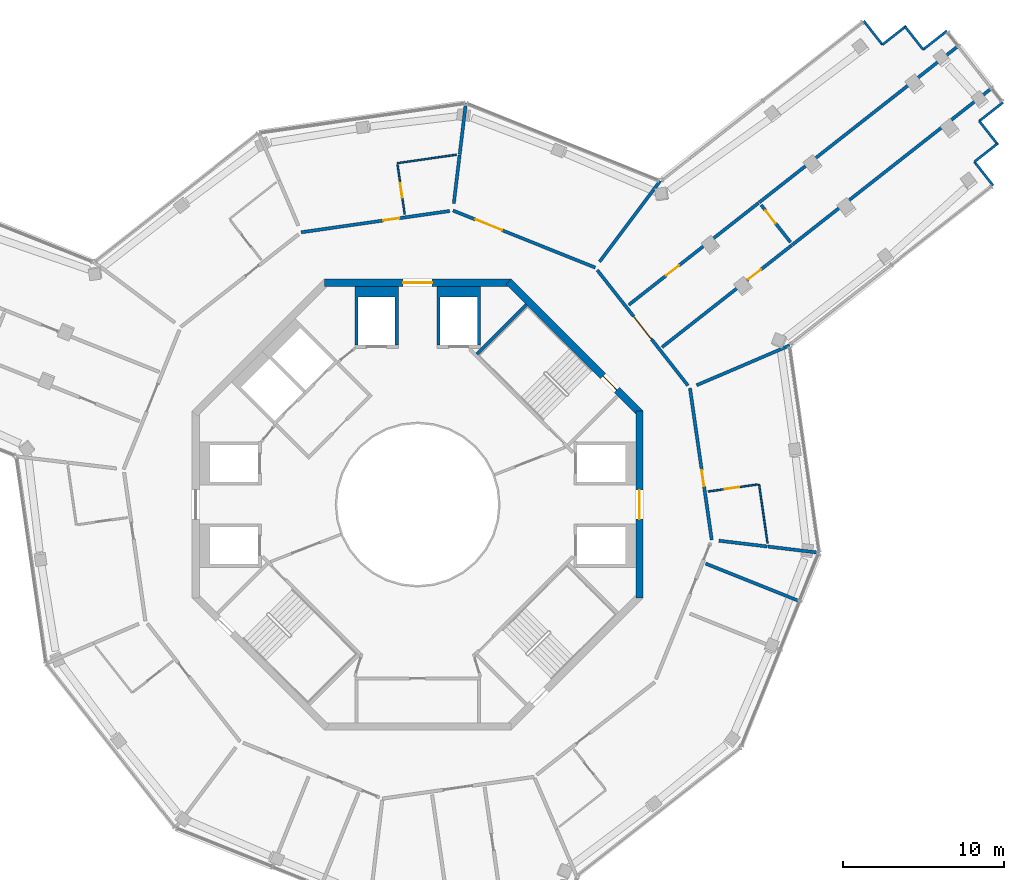
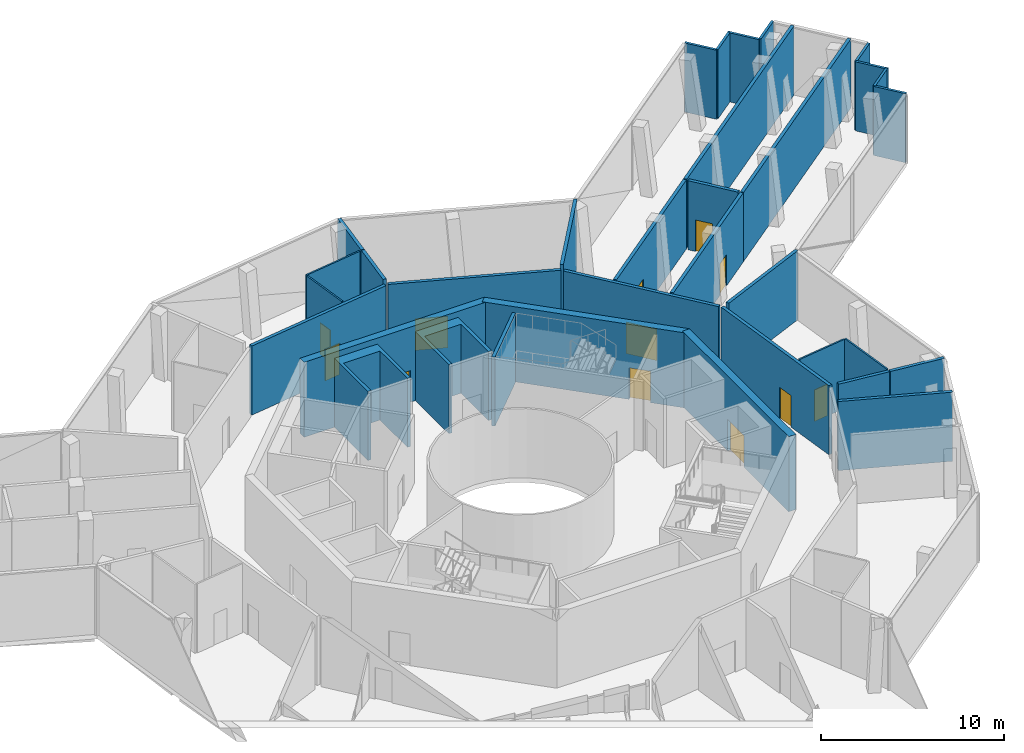
# One storey, part 13 of 19: 34 walls, 12 doors, 12 openings.
"""IFC4 building model written with IfcOpenShell, lengths in metres."""

from ifc_helpers import new_model, si_unit, direction, frame, frame_2d, origin, place, context, subcontext, project, spatial, polyline, rectangle, outline, extrude, material, layer, layer_set, type_object, element, fill, save


model = new_model("IFC4")

# Units and contexts
model_context = context("Model", 3, precision=1e-05, world=origin(), true_north=direction((0.0, 1.0)))
body_context = subcontext(model_context, "Body", "Model", "MODEL_VIEW")
ifc_project = project(units=[si_unit("LENGTHUNIT", "METRE"), si_unit("AREAUNIT", "SQUARE_METRE"), si_unit("VOLUMEUNIT", "CUBIC_METRE"), si_unit("PLANEANGLEUNIT", "RADIAN"), si_unit("MASSUNIT", "GRAM", prefix="KILO")], contexts=[model_context])

# Site, building, storey
site_placement = place(None, origin())
site = spatial("IfcSite", under=ifc_project, at=site_placement, CompositionType="ELEMENT")
building_placement = place(site_placement, origin())
building = spatial("IfcBuilding", under=site, at=building_placement, Name="Verdalira Terraces Hotel", CompositionType="ELEMENT")
storey_placement = place(building_placement, frame((0.0, 0.0, 310.0)))
storey = spatial("IfcBuildingStorey", under=building, at=storey_placement, Name="L77", CompositionType="ELEMENT", Elevation=310.0)

# Wall, opening, door
ifc_material_1 = material(Name="Moisture-resistant gypsum board partition")
ifc_layer_1 = layer(ifc_material_1, 0.10009765625)
ifc_layer_set_1 = layer_set([ifc_layer_1], Name="Bathroom partition 100 mm")
wall_type_1 = type_object("IfcWallType", Name="Bathroom partition 100 mm", PredefinedType="PARTITIONING", material=ifc_layer_set_1)
wall_1_placement = place(storey_placement, frame((-1.248291, 21.094727, 0.0), z_axis=(0.0, 0.0, 1.0), x_axis=(0.141917498, -0.989878489, 0.0)))
wall_1 = element("IfcWall", 1, at=wall_1_placement, inside=storey, type_object=wall_type_1, Name="Bathroom partition", PredefinedType="PARTITIONING", context=body_context, shape_type="SweptSolid", body=[
    extrude(rectangle(XDim=3.100098, YDim=0.100098, at=frame_2d((1.550049, 0.0))), origin(), (0.0, 0.0, 1.0), 4.600098),
])
opening_1_placement = place(wall_1_placement, frame((1.149902, 0.0, 0.0)))
opening_1 = element("IfcOpeningElement", 2, at=opening_1_placement, cuts=wall_1, Name="Opening L77-124", PredefinedType="OPENING", context=body_context, shape_type="SweptSolid", body=[
    extrude(rectangle(XDim=0.899902, YDim=2.100098, at=frame_2d((0.449951, 1.050049))), frame((0.0, 0.060059, 0.0), z_axis=(0.0, -1.0, 0.0), x_axis=(1.0, 0.0, 0.0)), (0.0, 0.0, 1.0), 0.120117),
])
ifc_material_2 = material(Name="Timber door", Category="wood")
door_type_1 = type_object("IfcDoorType", Name="Bathroom door 900 x 2100", OperationType="NOTDEFINED", PredefinedType="DOOR", material=ifc_material_2)
door_1_placement = place(opening_1_placement, origin())
door_1 = element("IfcDoor", 3, at=door_1_placement, inside=storey, type_object=door_type_1, Name="Bathroom door 7710", OperationType="SINGLE_SWING_LEFT", OverallHeight=2.10009765625, OverallWidth=0.89990234375, PredefinedType="DOOR", context=body_context, shape_type="SweptSolid", body=[
    extrude(rectangle(XDim=0.899902, YDim=2.100098, at=frame_2d((0.449951, 1.050049))), frame((0.0, 0.024902, 0.0), z_axis=(0.0, -1.0, 0.0), x_axis=(1.0, 0.0, 0.0)), (0.0, 0.0, 1.0), 0.050049),
])
fill(opening_1, door_1)

# Wall
wall_2_placement = place(storey_placement, frame((-1.262695, 21.193604, 0.0), z_axis=(0.0, 0.0, 1.0), x_axis=(0.989870244, 0.141974997, 0.0)))
element("IfcWall", 4, at=wall_2_placement, inside=storey, type_object=wall_type_1, Name="Bathroom partition", PredefinedType="PARTITIONING", context=body_context, shape_type="SweptSolid", body=[
    extrude(rectangle(XDim=3.704102, YDim=0.100098, at=frame_2d((1.852051, 0.0))), origin(), (0.0, 0.0, 1.0), 4.600098),
])

# Wall, opening, door
wall_3_placement = place(storey_placement, frame((21.094727, 1.248291, 0.0), z_axis=(0.0, 0.0, 1.0), x_axis=(-0.989878489, -0.141917498, 0.0)))
wall_3 = element("IfcWall", 5, at=wall_3_placement, inside=storey, type_object=wall_type_1, Name="Bathroom partition", PredefinedType="PARTITIONING", context=body_context, shape_type="SweptSolid", body=[
    extrude(rectangle(XDim=3.100098, YDim=0.100098, at=frame_2d((1.550049, 0.0))), origin(), (0.0, 0.0, 1.0), 4.600098),
])
opening_2_placement = place(wall_3_placement, frame((1.149902, 0.0, 0.0)))
opening_2 = element("IfcOpeningElement", 6, at=opening_2_placement, cuts=wall_3, Name="Opening L77-117", PredefinedType="OPENING", context=body_context, shape_type="SweptSolid", body=[
    extrude(rectangle(XDim=0.899902, YDim=2.100098, at=frame_2d((0.449951, 1.050049))), frame((0.0, 0.060059, 0.0), z_axis=(0.0, -1.0, 0.0), x_axis=(1.0, 0.0, 0.0)), (0.0, 0.0, 1.0), 0.120117),
])
door_2_placement = place(opening_2_placement, origin())
door_2 = element("IfcDoor", 7, at=door_2_placement, inside=storey, type_object=door_type_1, Name="Bathroom door 7707", OperationType="SINGLE_SWING_LEFT", OverallHeight=2.10009765625, OverallWidth=0.89990234375, PredefinedType="DOOR", context=body_context, shape_type="SweptSolid", body=[
    extrude(rectangle(XDim=0.899902, YDim=2.100098, at=frame_2d((0.449951, 1.050049))), frame((0.0, 0.024902, 0.0), z_axis=(0.0, -1.0, 0.0), x_axis=(1.0, 0.0, 0.0)), (0.0, 0.0, 1.0), 0.050049),
])
fill(opening_2, door_2)

# Walls
wall_4_placement = place(storey_placement, frame((21.193604, 1.262695, 0.0), z_axis=(0.0, 0.0, 1.0), x_axis=(0.141974997, -0.989870244, 0.0)))
element("IfcWall", 8, at=wall_4_placement, inside=storey, type_object=wall_type_1, Name="Bathroom partition", PredefinedType="PARTITIONING", context=body_context, shape_type="SweptSolid", body=[
    extrude(rectangle(XDim=3.704102, YDim=0.100098, at=frame_2d((1.852051, 0.0))), origin(), (0.0, 0.0, 1.0), 4.600098),
])
ifc_material_3 = material(Name="Concrete C50", Category="concrete")
ifc_layer_2 = layer(ifc_material_3, 0.199951171875)
ifc_layer_set_2 = layer_set([ifc_layer_2], Name="Core RC wall 200 C50")
wall_type_2 = type_object("IfcWallType", Name="Core RC wall 200 C50", PredefinedType="SOLIDWALL", material=ifc_layer_set_2)
wall_5_placement = place(storey_placement, origin())
element("IfcWall", 9, at=wall_5_placement, inside=storey, type_object=wall_type_2, Name="L77 shaft wall N1", PredefinedType="SOLIDWALL", context=body_context, shape_type="SweptSolid", body=[
    extrude(outline(polyline([(3.899902, 9.899902), (3.699951, 9.899902), (3.699951, 12.899902), (1.399902, 12.899902), (1.399902, 9.899902), (1.199951, 9.899902), (1.199951, 13.550049), (3.899902, 13.550049), (3.899902, 9.899902)])), origin(), (0.0, 0.0, 1.0), 4.600098),
])
wall_6_placement = place(storey_placement, origin())
element("IfcWall", 10, at=wall_6_placement, inside=storey, type_object=wall_type_2, Name="L77 shaft wall N2", PredefinedType="SOLIDWALL", context=body_context, shape_type="SweptSolid", body=[
    extrude(outline(polyline([(-3.899902, 13.550049), (-1.199951, 13.550049), (-1.199951, 9.899902), (-1.399902, 9.899902), (-1.399902, 12.899902), (-3.699951, 12.899902), (-3.699951, 9.899902), (-3.899902, 9.899902), (-3.899902, 13.550049)])), origin(), (0.0, 0.0, 1.0), 4.600098),
])
wall_7_placement = place(storey_placement, frame((3.677002, 9.33374, 0.0), z_axis=(0.0, 0.0, 1.0), x_axis=(0.707106781, 0.707106781, 0.0)))
element("IfcWall", 11, at=wall_7_placement, inside=storey, type_object=wall_type_2, Name="L77 stair ST1 end wall 2", PredefinedType="SOLIDWALL", context=body_context, shape_type="SweptSolid", body=[
    extrude(rectangle(XDim=4.350098, YDim=0.199951, at=frame_2d((2.175049, 0.0))), origin(), (0.0, 0.0, 1.0), 4.600098),
])

# Wall, opening, door
ifc_material_4 = material(Name="Concrete C50", Category="concrete")
ifc_layer_3 = layer(ifc_material_4, 0.449951171875)
ifc_layer_set_3 = layer_set([ifc_layer_3], Name="Core wall 450 C50")
wall_type_3 = type_object("IfcWallType", Name="Core wall 450 C50", PredefinedType="SHEAR", material=ifc_layer_set_3)
wall_8_placement = place(storey_placement, frame((13.774902, -5.799072, 0.0), z_axis=(0.0, 0.0, 1.0), x_axis=(0.0, 1.0, 0.0)))
wall_8 = element("IfcWall", 12, at=wall_8_placement, inside=storey, type_object=wall_type_3, Name="Core wall CW-L77-1", PredefinedType="SHEAR", context=body_context, shape_type="SweptSolid", body=[
    extrude(rectangle(XDim=11.598145, YDim=0.449951, at=frame_2d((5.799072, 0.0))), origin(), (0.0, 0.0, 1.0), 5.0),
])
opening_3_placement = place(wall_8_placement, frame((4.898926, 0.0, 0.0)))
opening_3 = element("IfcOpeningElement", 13, at=opening_3_placement, cuts=wall_8, Name="Opening L77-813", PredefinedType="OPENING", context=body_context, shape_type="SweptSolid", body=[
    extrude(rectangle(XDim=1.800049, YDim=2.100098, at=frame_2d((0.899902, 1.050049))), frame((0.0, 0.234863, 0.0), z_axis=(0.0, -1.0, 0.0), x_axis=(1.0, 0.0, 0.0)), (0.0, 0.0, 1.0), 0.469971),
])
ifc_material_5 = material(Name="Steel fire door", Category="steel")
door_type_2 = type_object("IfcDoorType", Name="Core entry door pair 1800 x 2100", OperationType="NOTDEFINED", PredefinedType="DOOR", material=ifc_material_5)
door_3_placement = place(opening_3_placement, origin())
door_3 = element("IfcDoor", 14, at=door_3_placement, inside=storey, type_object=door_type_2, Name="Core entry door L77 0", OperationType="DOUBLE_DOOR_SINGLE_SWING", OverallHeight=2.10009765625, OverallWidth=1.800048828125, PredefinedType="DOOR", context=body_context, shape_type="SweptSolid", body=[
    extrude(rectangle(XDim=1.800049, YDim=2.100098, at=frame_2d((0.899902, 1.050049))), frame((0.0, 0.024902, 0.0), z_axis=(0.0, -1.0, 0.0), x_axis=(1.0, 0.0, 0.0)), (0.0, 0.0, 1.0), 0.050049),
])
fill(opening_3, door_3)

wall_9_placement = place(storey_placement, frame((13.84082, 5.639893, 0.0), z_axis=(0.0, 0.0, 1.0), x_axis=(-0.707106781, 0.707106781, 0.0)))
wall_9 = element("IfcWall", 15, at=wall_9_placement, inside=storey, type_object=wall_type_3, Name="Core wall CW-L77-2", PredefinedType="SHEAR", context=body_context, shape_type="SweptSolid", body=[
    extrude(rectangle(XDim=11.5979, YDim=0.449951, at=frame_2d((5.798828, 0.0))), origin(), (0.0, 0.0, 1.0), 5.0),
])
opening_4_placement = place(wall_9_placement, frame((2.099121, 0.0, 0.0)))
opening_4 = element("IfcOpeningElement", 16, at=opening_4_placement, cuts=wall_9, Name="Opening L77-816", PredefinedType="OPENING", context=body_context, shape_type="SweptSolid", body=[
    extrude(rectangle(XDim=1.199951, YDim=2.100098, at=frame_2d((0.600098, 1.050049))), frame((0.0, 0.234863, 0.0), z_axis=(0.0, -1.0, 0.0), x_axis=(1.0, 0.0, 0.0)), (0.0, 0.0, 1.0), 0.469971),
])
ifc_material_6 = material(Name="Steel fire door", Category="steel")
door_type_3 = type_object("IfcDoorType", Name="Stair door 1200 x 2100", OperationType="NOTDEFINED", PredefinedType="DOOR", material=ifc_material_6)
door_4_placement = place(opening_4_placement, origin())
door_4 = element("IfcDoor", 17, at=door_4_placement, inside=storey, type_object=door_type_3, Name="Stair exit door ST1 L77", OperationType="SINGLE_SWING_LEFT", OverallHeight=2.10009765625, OverallWidth=1.199951171875, PredefinedType="DOOR", context=body_context, shape_type="SweptSolid", body=[
    extrude(rectangle(XDim=1.199951, YDim=2.100098, at=frame_2d((0.600098, 1.050049))), frame((0.0, 0.024902, 0.0), z_axis=(0.0, -1.0, 0.0), x_axis=(1.0, 0.0, 0.0)), (0.0, 0.0, 1.0), 0.050049),
])
fill(opening_4, door_4)

wall_10_placement = place(storey_placement, frame((5.799072, 13.774902, 0.0), z_axis=(0.0, 0.0, 1.0), x_axis=(-1.0, 0.0, 0.0)))
wall_10 = element("IfcWall", 18, at=wall_10_placement, inside=storey, type_object=wall_type_3, Name="Core wall CW-L77-3", PredefinedType="SHEAR", context=body_context, shape_type="SweptSolid", body=[
    extrude(rectangle(XDim=11.598145, YDim=0.449951, at=frame_2d((5.799072, 0.0))), origin(), (0.0, 0.0, 1.0), 5.0),
])
opening_5_placement = place(wall_10_placement, frame((4.898926, 0.0, 0.0)))
opening_5 = element("IfcOpeningElement", 19, at=opening_5_placement, cuts=wall_10, Name="Opening L77-814", PredefinedType="OPENING", context=body_context, shape_type="SweptSolid", body=[
    extrude(rectangle(XDim=1.800049, YDim=2.100098, at=frame_2d((0.899902, 1.050049))), frame((0.0, 0.234863, 0.0), z_axis=(0.0, -1.0, 0.0), x_axis=(1.0, 0.0, 0.0)), (0.0, 0.0, 1.0), 0.469971),
])
door_5_placement = place(opening_5_placement, origin())
door_5 = element("IfcDoor", 20, at=door_5_placement, inside=storey, type_object=door_type_2, Name="Core entry door L77 2", OperationType="DOUBLE_DOOR_SINGLE_SWING", OverallHeight=2.10009765625, OverallWidth=1.800048828125, PredefinedType="DOOR", context=body_context, shape_type="SweptSolid", body=[
    extrude(rectangle(XDim=1.800049, YDim=2.100098, at=frame_2d((0.899902, 1.050049))), frame((0.0, 0.024902, 0.0), z_axis=(0.0, -1.0, 0.0), x_axis=(1.0, 0.0, 0.0)), (0.0, 0.0, 1.0), 0.050049),
])
fill(opening_5, door_5)

# Walls
ifc_material_7 = material(Name="Fire-rated gypsum board wall")
ifc_layer_4 = layer(ifc_material_7, 0.199951171875)
ifc_layer_set_4 = layer_set([ifc_layer_4], Name="Demising wall 200 mm")
wall_type_4 = type_object("IfcWallType", Name="Demising wall 200 mm", PredefinedType="SOLIDWALL", material=ifc_layer_set_4)
wall_11_placement = place(storey_placement, frame((2.24292, 18.697998, 0.0), z_axis=(0.0, 0.0, 1.0), x_axis=(0.119056102, 0.992887529, 0.0)))
element("IfcWall", 21, at=wall_11_placement, inside=storey, type_object=wall_type_4, Name="Demising wall", PredefinedType="SOLIDWALL", context=body_context, shape_type="SweptSolid", body=[
    extrude(rectangle(XDim=3.024658, YDim=0.199951, at=frame_2d((1.512207, 0.0))), origin(), (0.0, 0.0, 1.0), 4.600098),
])
wall_12_placement = place(storey_placement, frame((2.608398, 21.746826, 0.0), z_axis=(0.0, 0.0, 1.0), x_axis=(0.119130232, 0.992878637, 0.0)))
element("IfcWall", 22, at=wall_12_placement, inside=storey, type_object=wall_type_4, Name="Demising wall", PredefinedType="SOLIDWALL", context=body_context, shape_type="SweptSolid", body=[
    extrude(rectangle(XDim=3.211426, YDim=0.199951, at=frame_2d((1.605713, 0.0))), origin(), (0.0, 0.0, 1.0), 4.600098),
])
wall_13_placement = place(storey_placement, frame((11.29126, 15.071533, 0.0), z_axis=(0.0, 0.0, 1.0), x_axis=(0.599608195, 0.800293704, 0.0)))
element("IfcWall", 23, at=wall_13_placement, inside=storey, type_object=wall_type_4, Name="Demising wall", PredefinedType="SOLIDWALL", context=body_context, shape_type="SweptSolid", body=[
    extrude(rectangle(XDim=6.282227, YDim=0.199951, at=frame_2d((3.141113, 0.0))), origin(), (0.0, 0.0, 1.0), 4.600098),
])

# Wall, opening, door
wall_14_placement = place(storey_placement, frame((13.101562, 12.392334, 0.0), z_axis=(0.0, 0.0, 1.0), x_axis=(0.786280326, 0.617869929, 0.0)))
wall_14 = element("IfcWall", 24, at=wall_14_placement, inside=storey, type_object=wall_type_4, Name="Demising wall", PredefinedType="SOLIDWALL", context=body_context, shape_type="SweptSolid", body=[
    extrude(rectangle(XDim=10.252197, YDim=0.199951, at=frame_2d((5.125977, 0.0))), origin(), (0.0, 0.0, 1.0), 4.600098),
])
opening_6_placement = place(wall_14_placement, frame((2.949951, 0.0, 0.0)))
opening_6 = element("IfcOpeningElement", 25, at=opening_6_placement, cuts=wall_14, Name="Opening L77-120", PredefinedType="OPENING", context=body_context, shape_type="SweptSolid", body=[
    extrude(rectangle(XDim=1.0, YDim=2.100098, at=frame_2d((0.5, 1.050049))), frame((0.0, 0.109863, 0.0), z_axis=(0.0, -1.0, 0.0), x_axis=(1.0, 0.0, 0.0)), (0.0, 0.0, 1.0), 0.219971),
])
ifc_material_8 = material(Name="Timber fire door", Category="wood")
door_type_4 = type_object("IfcDoorType", Name="Public room door 1000 x 2100", OperationType="NOTDEFINED", PredefinedType="DOOR", material=ifc_material_8)
door_6_placement = place(opening_6_placement, origin())
door_6 = element("IfcDoor", 26, at=door_6_placement, inside=storey, type_object=door_type_4, Name="Public room door 7708", OperationType="SINGLE_SWING_LEFT", OverallHeight=2.10009765625, OverallWidth=1.0, PredefinedType="DOOR", context=body_context, shape_type="SweptSolid", body=[
    extrude(rectangle(XDim=1.0, YDim=2.100098, at=frame_2d((0.5, 1.050049))), frame((0.0, 0.024902, 0.0), z_axis=(0.0, -1.0, 0.0), x_axis=(1.0, 0.0, 0.0)), (0.0, 0.0, 1.0), 0.050049),
])
fill(opening_6, door_6)

wall_15_placement = place(storey_placement, frame((23.226562, 16.100098, 0.0), z_axis=(0.0, 0.0, 1.0), x_axis=(-0.786291895, -0.617855207, 0.0)))
wall_15 = element("IfcWall", 27, at=wall_15_placement, inside=storey, type_object=wall_type_4, Name="Demising wall", PredefinedType="SOLIDWALL", context=body_context, shape_type="SweptSolid", body=[
    extrude(rectangle(XDim=10.251953, YDim=0.199951, at=frame_2d((5.125977, 0.0))), origin(), (0.0, 0.0, 1.0), 4.600098),
])
opening_7_placement = place(wall_15_placement, frame((2.449951, 0.0, 0.0)))
opening_7 = element("IfcOpeningElement", 28, at=opening_7_placement, cuts=wall_15, Name="Opening L77-119", PredefinedType="OPENING", context=body_context, shape_type="SweptSolid", body=[
    extrude(rectangle(XDim=1.0, YDim=2.100098, at=frame_2d((0.5, 1.050049))), frame((0.0, 0.109863, 0.0), z_axis=(0.0, -1.0, 0.0), x_axis=(1.0, 0.0, 0.0)), (0.0, 0.0, 1.0), 0.219971),
])
door_7_placement = place(opening_7_placement, origin())
door_7 = element("IfcDoor", 29, at=door_7_placement, inside=storey, type_object=door_type_4, Name="Public room door 7708", OperationType="SINGLE_SWING_LEFT", OverallHeight=2.10009765625, OverallWidth=1.0, PredefinedType="DOOR", context=body_context, shape_type="SweptSolid", body=[
    extrude(rectangle(XDim=1.0, YDim=2.100098, at=frame_2d((0.5, 1.050049))), frame((0.0, 0.024902, 0.0), z_axis=(0.0, -1.0, 0.0), x_axis=(1.0, 0.0, 0.0)), (0.0, 0.0, 1.0), 0.050049),
])
fill(opening_7, door_7)

# Wall
wall_16_placement = place(storey_placement, frame((23.090088, 9.877441, 0.0), z_axis=(0.0, 0.0, 1.0), x_axis=(-0.919400121, -0.393323553, 0.0)))
element("IfcWall", 30, at=wall_16_placement, inside=storey, type_object=wall_type_4, Name="Demising wall", PredefinedType="SOLIDWALL", context=body_context, shape_type="SweptSolid", body=[
    extrude(rectangle(XDim=6.282227, YDim=0.199951, at=frame_2d((3.141113, 0.0))), origin(), (0.0, 0.0, 1.0), 4.600098),
])

# Wall, opening, door
wall_17_placement = place(storey_placement, frame((21.323975, 18.599121, 0.0), z_axis=(0.0, 0.0, 1.0), x_axis=(0.61783622, -0.786306814, 0.0)))
wall_17 = element("IfcWall", 31, at=wall_17_placement, inside=storey, type_object=wall_type_4, Name="Demising wall", PredefinedType="SOLIDWALL", context=body_context, shape_type="SweptSolid", body=[
    extrude(rectangle(XDim=2.94043, YDim=0.199951, at=frame_2d((1.470215, 0.0))), origin(), (0.0, 0.0, 1.0), 4.600098),
])
opening_8_placement = place(wall_17_placement, frame((0.449951, 0.0, 0.0)))
opening_8 = element("IfcOpeningElement", 32, at=opening_8_placement, cuts=wall_17, Name="Opening L77-121", PredefinedType="OPENING", context=body_context, shape_type="SweptSolid", body=[
    extrude(rectangle(XDim=1.0, YDim=2.100098, at=frame_2d((0.5, 1.050049))), frame((0.0, 0.109863, 0.0), z_axis=(0.0, -1.0, 0.0), x_axis=(1.0, 0.0, 0.0)), (0.0, 0.0, 1.0), 0.219971),
])
door_8_placement = place(opening_8_placement, origin())
door_8 = element("IfcDoor", 33, at=door_8_placement, inside=storey, type_object=door_type_4, Name="Public room door 7708", OperationType="SINGLE_SWING_LEFT", OverallHeight=2.10009765625, OverallWidth=1.0, PredefinedType="DOOR", context=body_context, shape_type="SweptSolid", body=[
    extrude(rectangle(XDim=1.0, YDim=2.100098, at=frame_2d((0.5, 1.050049))), frame((0.0, 0.024902, 0.0), z_axis=(0.0, -1.0, 0.0), x_axis=(1.0, 0.0, 0.0)), (0.0, 0.0, 1.0), 0.050049),
])
fill(opening_8, door_8)

# Walls
wall_18_placement = place(storey_placement, frame((33.577881, 28.482422, 0.0), z_axis=(0.0, 0.0, 1.0), x_axis=(-0.786293047, -0.61785374, 0.0)))
element("IfcWall", 34, at=wall_18_placement, inside=storey, type_object=wall_type_4, Name="Demising wall", PredefinedType="SOLIDWALL", context=body_context, shape_type="SweptSolid", body=[
    extrude(rectangle(XDim=15.743652, YDim=0.199951, at=frame_2d((7.871826, 0.0))), origin(), (0.0, 0.0, 1.0), 4.600098),
])
wall_19_placement = place(storey_placement, frame((23.262695, 16.128418, 0.0), z_axis=(0.0, 0.0, 1.0), x_axis=(0.786285514, 0.617863327, 0.0)))
element("IfcWall", 35, at=wall_19_placement, inside=storey, type_object=wall_type_4, Name="Demising wall", PredefinedType="SOLIDWALL", context=body_context, shape_type="SweptSolid", body=[
    extrude(rectangle(XDim=15.743896, YDim=0.199951, at=frame_2d((7.87207, 0.0))), origin(), (0.0, 0.0, 1.0), 4.600098),
])

# Wall, opening, door
ifc_material_9 = material(Name="Fire-rated gypsum board wall")
ifc_layer_5 = layer(ifc_material_9, 0.199951171875)
ifc_layer_set_5 = layer_set([ifc_layer_5], Name="Guest corridor wall 200 mm")
wall_type_5 = type_object("IfcWallType", Name="Guest corridor wall 200 mm", PredefinedType="SOLIDWALL", material=ifc_layer_set_5)
wall_20_placement = place(storey_placement, frame((-7.230713, 16.90332, 0.0), z_axis=(0.0, 0.0, 1.0), x_axis=(0.989877038, 0.141927623, 0.0)))
wall_20 = element("IfcWall", 36, at=wall_20_placement, inside=storey, type_object=wall_type_5, Name="Guest corridor wall", PredefinedType="SOLIDWALL", context=body_context, shape_type="SweptSolid", body=[
    extrude(rectangle(XDim=9.316406, YDim=0.199951, at=frame_2d((4.658203, 0.0))), origin(), (0.0, 0.0, 1.0), 4.600098),
])
opening_9_placement = place(wall_20_placement, frame((5.149902, 0.0, 0.0)))
opening_9 = element("IfcOpeningElement", 37, at=opening_9_placement, cuts=wall_20, Name="Opening L77-123", PredefinedType="OPENING", context=body_context, shape_type="SweptSolid", body=[
    extrude(rectangle(XDim=1.0, YDim=2.100098, at=frame_2d((0.5, 1.050049))), frame((0.0, 0.109863, 0.0), z_axis=(0.0, -1.0, 0.0), x_axis=(1.0, 0.0, 0.0)), (0.0, 0.0, 1.0), 0.219971),
])
ifc_material_10 = material(Name="Timber fire door", Category="wood")
door_type_5 = type_object("IfcDoorType", Name="Guest entry door 1000 x 2100", OperationType="NOTDEFINED", PredefinedType="DOOR", material=ifc_material_10)
door_9_placement = place(opening_9_placement, origin())
door_9 = element("IfcDoor", 38, at=door_9_placement, inside=storey, type_object=door_type_5, Name="Guest entry door 7710", OperationType="SINGLE_SWING_LEFT", OverallHeight=2.10009765625, OverallWidth=1.0, PredefinedType="DOOR", context=body_context, shape_type="SweptSolid", body=[
    extrude(rectangle(XDim=1.0, YDim=2.100098, at=frame_2d((0.5, 1.050049))), frame((0.0, 0.024902, 0.0), z_axis=(0.0, -1.0, 0.0), x_axis=(1.0, 0.0, 0.0)), (0.0, 0.0, 1.0), 0.050049),
])
fill(opening_9, door_9)

wall_21_placement = place(storey_placement, frame((2.189697, 18.253906, 0.0), z_axis=(0.0, 0.0, 1.0), x_axis=(0.928227015, -0.37201426, 0.0)))
wall_21 = element("IfcWall", 39, at=wall_21_placement, inside=storey, type_object=wall_type_5, Name="Guest corridor wall", PredefinedType="SOLIDWALL", context=body_context, shape_type="SweptSolid", body=[
    extrude(rectangle(XDim=9.516602, YDim=0.199951, at=frame_2d((4.758301, 0.0))), origin(), (0.0, 0.0, 1.0), 4.600098),
])
opening_10_placement = place(wall_21_placement, frame((1.5, 0.0, 0.0)))
opening_10 = element("IfcOpeningElement", 40, at=opening_10_placement, cuts=wall_21, Name="Opening L77-122", PredefinedType="OPENING", context=body_context, shape_type="SweptSolid", body=[
    extrude(rectangle(XDim=1.800049, YDim=2.100098, at=frame_2d((0.899902, 1.050049))), frame((0.0, 0.109863, 0.0), z_axis=(0.0, -1.0, 0.0), x_axis=(1.0, 0.0, 0.0)), (0.0, 0.0, 1.0), 0.219971),
])
ifc_material_11 = material(Name="Timber fire door", Category="wood")
door_type_6 = type_object("IfcDoorType", Name="Public room double door 1800 x 2100", OperationType="NOTDEFINED", PredefinedType="DOOR", material=ifc_material_11)
door_10_placement = place(opening_10_placement, origin())
door_10 = element("IfcDoor", 41, at=door_10_placement, inside=storey, type_object=door_type_6, Name="Public room double door 7709", OperationType="DOUBLE_DOOR_SINGLE_SWING", OverallHeight=2.10009765625, OverallWidth=1.800048828125, PredefinedType="DOOR", context=body_context, shape_type="SweptSolid", body=[
    extrude(rectangle(XDim=1.800049, YDim=2.100098, at=frame_2d((0.899902, 1.050049))), frame((0.0, 0.024902, 0.0), z_axis=(0.0, -1.0, 0.0), x_axis=(1.0, 0.0, 0.0)), (0.0, 0.0, 1.0), 0.050049),
])
fill(opening_10, door_10)

wall_22_placement = place(storey_placement, frame((11.146729, 14.556396, 0.0), z_axis=(0.0, 0.0, 1.0), x_axis=(0.617852301, -0.786294178, 0.0)))
wall_22 = element("IfcWall", 42, at=wall_22_placement, inside=storey, type_object=wall_type_5, Name="Guest corridor wall", PredefinedType="SOLIDWALL", context=body_context, shape_type="SweptSolid", body=[
    extrude(rectangle(XDim=9.116699, YDim=0.199951, at=frame_2d((4.55835, 0.0))), origin(), (0.0, 0.0, 1.0), 4.600098),
])
opening_11_placement = place(wall_22_placement, frame((3.65918, 0.0, 0.0)))
opening_11 = element("IfcOpeningElement", 43, at=opening_11_placement, cuts=wall_22, Name="Opening L77-118", PredefinedType="OPENING", context=body_context, shape_type="SweptSolid", body=[
    extrude(rectangle(XDim=1.800049, YDim=2.100098, at=frame_2d((0.899902, 1.050049))), frame((0.0, 0.109863, 0.0), z_axis=(0.0, -1.0, 0.0), x_axis=(1.0, 0.0, 0.0)), (0.0, 0.0, 1.0), 0.219971),
])
door_11_placement = place(opening_11_placement, origin())
door_11 = element("IfcDoor", 44, at=door_11_placement, inside=storey, type_object=door_type_6, Name="Public room double door 7708", OperationType="DOUBLE_DOOR_SINGLE_SWING", OverallHeight=2.10009765625, OverallWidth=1.800048828125, PredefinedType="DOOR", context=body_context, shape_type="SweptSolid", body=[
    extrude(rectangle(XDim=1.800049, YDim=2.100098, at=frame_2d((0.899902, 1.050049))), frame((0.0, 0.024902, 0.0), z_axis=(0.0, -1.0, 0.0), x_axis=(1.0, 0.0, 0.0)), (0.0, 0.0, 1.0), 0.050049),
])
fill(opening_11, door_11)

wall_23_placement = place(storey_placement, frame((16.90332, 7.230713, 0.0), z_axis=(0.0, 0.0, 1.0), x_axis=(0.141920574, -0.989878048, 0.0)))
wall_23 = element("IfcWall", 45, at=wall_23_placement, inside=storey, type_object=wall_type_5, Name="Guest corridor wall", PredefinedType="SOLIDWALL", context=body_context, shape_type="SweptSolid", body=[
    extrude(rectangle(XDim=9.516602, YDim=0.199951, at=frame_2d((4.758301, 0.0))), origin(), (0.0, 0.0, 1.0), 4.600098),
])
opening_12_placement = place(wall_23_placement, frame((5.149902, 0.0, 0.0)))
opening_12 = element("IfcOpeningElement", 46, at=opening_12_placement, cuts=wall_23, Name="Opening L77-116", PredefinedType="OPENING", context=body_context, shape_type="SweptSolid", body=[
    extrude(rectangle(XDim=1.0, YDim=2.100098, at=frame_2d((0.5, 1.050049))), frame((0.0, 0.109863, 0.0), z_axis=(0.0, -1.0, 0.0), x_axis=(1.0, 0.0, 0.0)), (0.0, 0.0, 1.0), 0.219971),
])
door_12_placement = place(opening_12_placement, origin())
door_12 = element("IfcDoor", 47, at=door_12_placement, inside=storey, type_object=door_type_5, Name="Guest entry door 7707", OperationType="SINGLE_SWING_LEFT", OverallHeight=2.10009765625, OverallWidth=1.0, PredefinedType="DOOR", context=body_context, shape_type="SweptSolid", body=[
    extrude(rectangle(XDim=1.0, YDim=2.100098, at=frame_2d((0.5, 1.050049))), frame((0.0, 0.024902, 0.0), z_axis=(0.0, -1.0, 0.0), x_axis=(1.0, 0.0, 0.0)), (0.0, 0.0, 1.0), 0.050049),
])
fill(opening_12, door_12)

# Walls
ifc_material_12 = material(Name="Fire-rated gypsum board wall")
ifc_layer_6 = layer(ifc_material_12, 0.199951171875)
ifc_layer_set_6 = layer_set([ifc_layer_6], Name="Service room wall 200 mm")
wall_type_6 = type_object("IfcWallType", Name="Service room wall 200 mm", PredefinedType="SOLIDWALL", material=ifc_layer_set_6)
wall_24_placement = place(storey_placement, frame((18.697998, -2.24292, 0.0), z_axis=(0.0, 0.0, 1.0), x_axis=(0.992887529, -0.119056102, 0.0)))
element("IfcWall", 48, at=wall_24_placement, inside=storey, type_object=wall_type_6, Name="Service room wall", PredefinedType="SOLIDWALL", context=body_context, shape_type="SweptSolid", body=[
    extrude(rectangle(XDim=3.024658, YDim=0.199951, at=frame_2d((1.512207, 0.0))), origin(), (0.0, 0.0, 1.0), 4.600098),
])
wall_25_placement = place(storey_placement, frame((17.878418, -3.664062, 0.0), z_axis=(0.0, 0.0, 1.0), x_axis=(0.928225259, -0.37201864, 0.0)))
element("IfcWall", 49, at=wall_25_placement, inside=storey, type_object=wall_type_6, Name="Service room wall", PredefinedType="SOLIDWALL", context=body_context, shape_type="SweptSolid", body=[
    extrude(rectangle(XDim=6.300049, YDim=0.199951, at=frame_2d((3.149902, 0.0))), origin(), (0.0, 0.0, 1.0), 4.600098),
])
wall_26_placement = place(storey_placement, frame((21.746826, -2.608398, 0.0), z_axis=(0.0, 0.0, 1.0), x_axis=(0.992878637, -0.119130232, 0.0)))
element("IfcWall", 50, at=wall_26_placement, inside=storey, type_object=wall_type_6, Name="Service room wall", PredefinedType="SOLIDWALL", context=body_context, shape_type="SweptSolid", body=[
    extrude(rectangle(XDim=3.211426, YDim=0.199951, at=frame_2d((1.605713, 0.0))), origin(), (0.0, 0.0, 1.0), 4.600098),
])
ifc_material_13 = material(Name="Terracotta cladding", Category="masonry")
ifc_layer_7 = layer(ifc_material_13, 0.14990234375)
ifc_layer_set_7 = layer_set([ifc_layer_7], Name="Terracotta clad wall 150")
wall_type_7 = type_object("IfcWallType", Name="Terracotta clad wall 150", PredefinedType="SOLIDWALL", material=ifc_layer_set_7)
wall_27_placement = place(storey_placement, frame((35.723145, 19.804199, 0.0), z_axis=(0.0, 0.0, 1.0), x_axis=(-0.617827302, 0.786313821, 0.0)))
element("IfcWall", 51, at=wall_27_placement, inside=storey, type_object=wall_type_7, Name="Terracotta cladding wall", PredefinedType="SOLIDWALL", context=body_context, shape_type="SweptSolid", body=[
    extrude(rectangle(XDim=1.875, YDim=0.149902, at=frame_2d((0.9375, 0.0))), origin(), (0.0, 0.0, 1.0), 4.600098),
])
wall_28_placement = place(storey_placement, frame((34.564697, 21.278564, 0.0), z_axis=(0.0, 0.0, 1.0), x_axis=(0.786238324, 0.617923375, 0.0)))
element("IfcWall", 52, at=wall_28_placement, inside=storey, type_object=wall_type_7, Name="Terracotta cladding wall", PredefinedType="SOLIDWALL", context=body_context, shape_type="SweptSolid", body=[
    extrude(rectangle(XDim=1.800049, YDim=0.149902, at=frame_2d((0.899902, 0.0))), origin(), (0.0, 0.0, 1.0), 4.600098),
])
wall_29_placement = place(storey_placement, frame((36.026367, 22.331787, 0.0), z_axis=(0.0, 0.0, 1.0), x_axis=(-0.617827302, 0.786313821, 0.0)))
element("IfcWall", 53, at=wall_29_placement, inside=storey, type_object=wall_type_7, Name="Terracotta cladding wall", PredefinedType="SOLIDWALL", context=body_context, shape_type="SweptSolid", body=[
    extrude(rectangle(XDim=1.875, YDim=0.149902, at=frame_2d((0.9375, 0.0))), origin(), (0.0, 0.0, 1.0), 4.600098),
])
wall_30_placement = place(storey_placement, frame((34.86792, 23.806152, 0.0), z_axis=(0.0, 0.0, 1.0), x_axis=(0.786264112, 0.617890562, 0.0)))
element("IfcWall", 54, at=wall_30_placement, inside=storey, type_object=wall_type_7, Name="Terracotta cladding wall", PredefinedType="SOLIDWALL", context=body_context, shape_type="SweptSolid", body=[
    extrude(rectangle(XDim=1.874756, YDim=0.149902, at=frame_2d((0.9375, 0.0))), origin(), (0.0, 0.0, 1.0), 4.600098),
])
wall_31_placement = place(storey_placement, frame((32.851318, 29.406982, 0.0), z_axis=(0.0, 0.0, 1.0), x_axis=(-0.786313821, -0.617827302, 0.0)))
element("IfcWall", 55, at=wall_31_placement, inside=storey, type_object=wall_type_7, Name="Terracotta cladding wall", PredefinedType="SOLIDWALL", context=body_context, shape_type="SweptSolid", body=[
    extrude(rectangle(XDim=1.875, YDim=0.149902, at=frame_2d((0.9375, 0.0))), origin(), (0.0, 0.0, 1.0), 4.600098),
])
wall_32_placement = place(storey_placement, frame((31.376953, 28.248535, 0.0), z_axis=(0.0, 0.0, 1.0), x_axis=(-0.617839523, 0.786304218, 0.0)))
element("IfcWall", 56, at=wall_32_placement, inside=storey, type_object=wall_type_7, Name="Terracotta cladding wall", PredefinedType="SOLIDWALL", context=body_context, shape_type="SweptSolid", body=[
    extrude(rectangle(XDim=1.799805, YDim=0.149902, at=frame_2d((0.899902, 0.0))), origin(), (0.0, 0.0, 1.0), 4.600098),
])
for number, where, z_axis, x_axis, name in (
    (57, (30.32373, 29.710205, 0.0), (0.0, 0.0, 1.0), (-0.786313821, -0.617827302, 0.0), "Terracotta cladding wall"),
    (58, (28.849365, 28.551758, 0.0), (0.0, 0.0, 1.0), (-0.617827302, 0.786313821, 0.0), "Terracotta cladding wall"),
):
    element("IfcWall", number, at=place(storey_placement, frame(where, z_axis=z_axis, x_axis=x_axis)), inside=storey, type_object=wall_type_7, Name=name, PredefinedType="SOLIDWALL", context=body_context, shape_type="SweptSolid", body=[
        extrude(rectangle(XDim=1.875, YDim=0.149902, at=frame_2d((0.9375, 0.0))), origin(), (0.0, 0.0, 1.0), 4.600098),
    ])

save(model, "model.ifc")
